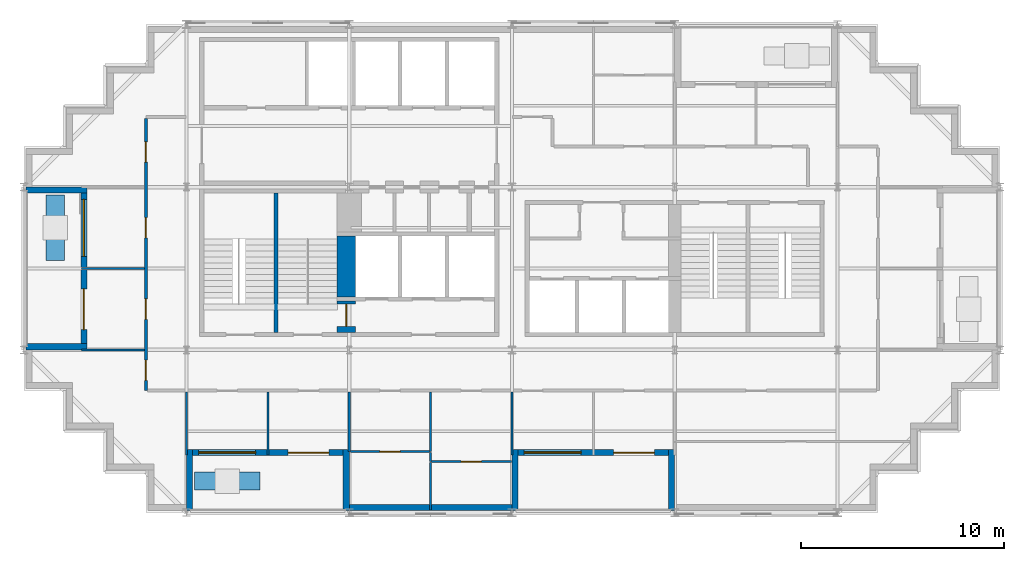
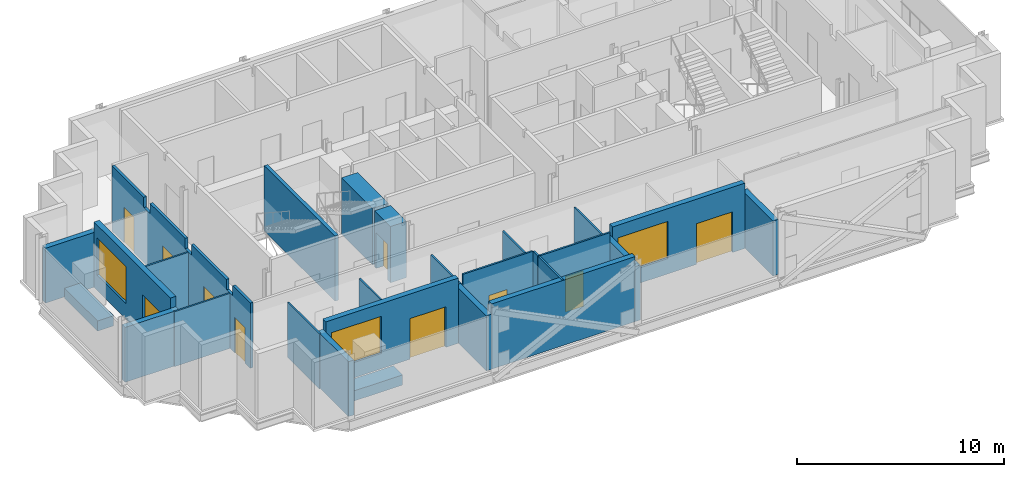
# One storey, part 4 of 10: 27 walls, 10 doors, 3 windows, 13 openings.
"""IFC4 building model written with IfcOpenShell, lengths in metres."""

from ifc_helpers import new_model, si_unit, direction, frame, frame_2d, origin, place, context, subcontext, project, spatial, polyline, rectangle, outline, extrude, material, layer, layer_set, type_object, element, fill, save


model = new_model("IFC4")

# Units and contexts
model_context = context("Model", 3, precision=1e-05, world=origin(), true_north=direction((0.0, 1.0)))
body_context = subcontext(model_context, "Body", "Model", "MODEL_VIEW")
ifc_project = project(units=[si_unit("LENGTHUNIT", "METRE"), si_unit("AREAUNIT", "SQUARE_METRE"), si_unit("VOLUMEUNIT", "CUBIC_METRE"), si_unit("PLANEANGLEUNIT", "RADIAN"), si_unit("MASSUNIT", "GRAM", prefix="KILO")], contexts=[model_context])

# Site, building, storey
site_placement = place(None, origin())
site = spatial("IfcSite", under=ifc_project, at=site_placement, CompositionType="ELEMENT")
building_placement = place(site_placement, origin())
building = spatial("IfcBuilding", under=site, at=building_placement, Name="Immortelle Media Tower", CompositionType="ELEMENT")
storey_placement = place(building_placement, frame((0.0, 0.0, 279.0)))
storey = spatial("IfcBuildingStorey", under=building, at=storey_placement, Name="L61", CompositionType="ELEMENT", Elevation=279.0)

# Wall, openings, doors
ifc_material_1 = material(Name="Fire-rated gypsum board", Category="gypsum")
ifc_layer_1 = layer(ifc_material_1, 0.012451171875)
ifc_material_2 = material(Name="Steel ASTM A653 SS Gr 50 stud frame with mineral wool", Category="steel")
ifc_layer_2 = layer(ifc_material_2, 0.125)
ifc_layer_3 = layer(ifc_material_1, 0.012451171875)
ifc_layer_set_1 = layer_set([ifc_layer_1, ifc_layer_2, ifc_layer_3], Name="Steel ASTM A653 SS Gr 50 stud frame with mineral wool")
wall_type_1 = type_object("IfcWallType", Name="Corridor wall 150", PredefinedType="PARTITIONING", material=ifc_layer_set_1)
wall_1_placement = place(storey_placement, frame((6.0, 6.0, 0.0), z_axis=(0.0, 0.0, 1.0), x_axis=(0.0, 1.0, 0.0)))
wall_1 = element("IfcWall", 1, at=wall_1_placement, inside=storey, type_object=wall_type_1, Name="Partition L61-015", PredefinedType="PARTITIONING", context=body_context, shape_type="SweptSolid", body=[
    extrude(outline(polyline([(0.0, 0.0), (13.375, 0.0), (13.375, 3.85009765625), (10.300048828125, 3.85009765625), (10.298095703125, 3.238037109375), (9.701904296875, 3.238037109375), (9.699951171875, 3.85009765625), (6.300048828125, 3.85009765625), (6.298095703125, 3.238037109375), (5.701904296875, 3.238037109375), (5.699951171875, 3.85009765625), (2.300048828125, 3.85009765625), (2.298095703125, 3.238037109375), (1.701904296875, 3.238037109375), (1.699951171875, 3.85009765625), (0.0, 3.85009765625), (0.0, 0.0)])), frame((0.0, 0.074951171875, 0.0), z_axis=(0.0, -1.0, 0.0), x_axis=(1.0, 0.0, 0.0)), (0.0, 0.0, 1.0), 0.14990234375),
])
opening_1_placement = place(wall_1_placement, frame((0.5, 0.0, 0.0)))
opening_1 = element("IfcOpeningElement", 2, at=opening_1_placement, cuts=wall_1, Name="Opening X4-F011", PredefinedType="OPENING", context=body_context, shape_type="SweptSolid", body=[
    extrude(rectangle(XDim=1.0, YDim=2.10009765625, at=frame_2d((0.5, 1.050048828125))), frame((0.0, 0.0849609375, 0.0), z_axis=(0.0, -1.0, 0.0), x_axis=(1.0, 0.0, 0.0)), (0.0, 0.0, 1.0), 0.169921875),
])
opening_2_placement = place(wall_1_placement, frame((3.5, 0.0, 0.0)))
opening_2 = element("IfcOpeningElement", 3, at=opening_2_placement, cuts=wall_1, Name="Opening X4-F012", PredefinedType="OPENING", context=body_context, shape_type="SweptSolid", body=[
    extrude(rectangle(XDim=1.0, YDim=2.10009765625, at=frame_2d((0.5, 1.050048828125))), frame((0.0, 0.0849609375, 0.0), z_axis=(0.0, -1.0, 0.0), x_axis=(1.0, 0.0, 0.0)), (0.0, 0.0, 1.0), 0.169921875),
])
opening_3_placement = place(wall_1_placement, frame((7.5, 0.0, 0.0)))
opening_3 = element("IfcOpeningElement", 4, at=opening_3_placement, cuts=wall_1, Name="Opening X4-F013", PredefinedType="OPENING", context=body_context, shape_type="SweptSolid", body=[
    extrude(rectangle(XDim=1.0, YDim=2.10009765625, at=frame_2d((0.5, 1.050048828125))), frame((0.0, 0.0849609375, 0.0), z_axis=(0.0, -1.0, 0.0), x_axis=(1.0, 0.0, 0.0)), (0.0, 0.0, 1.0), 0.169921875),
])
opening_4_placement = place(wall_1_placement, frame((11.22509765625, 0.0, 0.0)))
opening_4 = element("IfcOpeningElement", 5, at=opening_4_placement, cuts=wall_1, Name="Opening X4-F016", PredefinedType="OPENING", context=body_context, shape_type="SweptSolid", body=[
    extrude(rectangle(XDim=1.0, YDim=2.10009765625, at=frame_2d((0.5, 1.050048828125))), frame((0.0, 0.0849609375, 0.0), z_axis=(0.0, -1.0, 0.0), x_axis=(1.0, 0.0, 0.0)), (0.0, 0.0, 1.0), 0.169921875),
])
ifc_material_3 = material(Name="Timber veneered door leaf, galvanised steel frame ASTM A653", Category="steel")
door_type_1 = type_object("IfcDoorType", Name="Room door 1000 x 2100", OperationType="NOTDEFINED", PredefinedType="DOOR", material=ifc_material_3)
door_1_placement = place(opening_1_placement, origin())
door_1 = element("IfcDoor", 6, at=door_1_placement, inside=storey, type_object=door_type_1, Name="Door X4-F011", OperationType="SINGLE_SWING_RIGHT", OverallHeight=2.10009765625, OverallWidth=1.0, PredefinedType="DOOR", context=body_context, shape_type="SweptSolid", body=[
    extrude(rectangle(XDim=1.0, YDim=2.10009765625, at=frame_2d((0.5, 1.050048828125))), frame((0.0, 0.02490234375, 0.0), z_axis=(0.0, -1.0, 0.0), x_axis=(1.0, 0.0, 0.0)), (0.0, 0.0, 1.0), 0.050048828125),
])
fill(opening_1, door_1)
door_2_placement = place(opening_2_placement, origin())
door_2 = element("IfcDoor", 7, at=door_2_placement, inside=storey, type_object=door_type_1, Name="Door X4-F012", OperationType="SINGLE_SWING_RIGHT", OverallHeight=2.10009765625, OverallWidth=1.0, PredefinedType="DOOR", context=body_context, shape_type="SweptSolid", body=[
    extrude(rectangle(XDim=1.0, YDim=2.10009765625, at=frame_2d((0.5, 1.050048828125))), frame((0.0, 0.02490234375, 0.0), z_axis=(0.0, -1.0, 0.0), x_axis=(1.0, 0.0, 0.0)), (0.0, 0.0, 1.0), 0.050048828125),
])
fill(opening_2, door_2)
door_3_placement = place(opening_3_placement, origin())
door_3 = element("IfcDoor", 8, at=door_3_placement, inside=storey, type_object=door_type_1, Name="Door X4-F013", OperationType="SINGLE_SWING_RIGHT", OverallHeight=2.10009765625, OverallWidth=1.0, PredefinedType="DOOR", context=body_context, shape_type="SweptSolid", body=[
    extrude(rectangle(XDim=1.0, YDim=2.10009765625, at=frame_2d((0.5, 1.050048828125))), frame((0.0, 0.02490234375, 0.0), z_axis=(0.0, -1.0, 0.0), x_axis=(1.0, 0.0, 0.0)), (0.0, 0.0, 1.0), 0.050048828125),
])
fill(opening_3, door_3)
door_4_placement = place(opening_4_placement, origin())
door_4 = element("IfcDoor", 9, at=door_4_placement, inside=storey, type_object=door_type_1, Name="Door X4-F016", OperationType="SINGLE_SWING_LEFT", OverallHeight=2.10009765625, OverallWidth=1.0, PredefinedType="DOOR", context=body_context, shape_type="SweptSolid", body=[
    extrude(rectangle(XDim=1.0, YDim=2.10009765625, at=frame_2d((0.5, 1.050048828125))), frame((0.0, 0.02490234375, 0.0), z_axis=(0.0, -1.0, 0.0), x_axis=(1.0, 0.0, 0.0)), (0.0, 0.0, 1.0), 0.050048828125),
])
fill(opening_4, door_4)

# Wall, openings, door, window
ifc_material_4 = material(Name="Pale aluminium cladding panel", Category="aluminium")
ifc_layer_4 = layer(ifc_material_4, 0.030029296875)
ifc_layer_5 = layer(ifc_material_2, 0.257568359375)
ifc_material_5 = material(Name="Moisture-resistant gypsum board", Category="gypsum")
ifc_layer_6 = layer(ifc_material_5, 0.012451171875)
ifc_layer_set_2 = layer_set([ifc_layer_4, ifc_layer_5, ifc_layer_6], Name="Steel ASTM A653 SS Gr 50 stud frame with mineral wool")
wall_type_2 = type_object("IfcWallType", Name="Facade wall 300", PredefinedType="SOLIDWALL", material=ifc_layer_set_2)
wall_2_placement = place(storey_placement, frame((8.300048828125, 2.949951171875, 0.0), z_axis=(0.0, 0.0, 1.0), x_axis=(1.0, 0.0, 0.0)))
wall_2 = element("IfcWall", 10, at=wall_2_placement, inside=storey, type_object=wall_type_2, Name="Loggia wall L61 S6", PredefinedType="SOLIDWALL", context=body_context, shape_type="SweptSolid", body=[
    extrude(rectangle(XDim=7.39990234375, YDim=0.300048828125, at=frame_2d((3.699951171875, 0.0))), origin(), (0.0, 0.0, 1.0), 3.85009765625),
])
opening_5_placement = place(wall_2_placement, frame((0.300048828125, 0.0, 0.89990234375)))
opening_5 = element("IfcOpeningElement", 11, at=opening_5_placement, cuts=wall_2, Name="Opening W1", PredefinedType="OPENING", context=body_context, shape_type="SweptSolid", body=[
    extrude(rectangle(XDim=2.800048828125, YDim=2.199951171875, at=frame_2d((1.39990234375, 1.10009765625))), frame((0.0, 0.159912109375, 0.0), z_axis=(0.0, -1.0, 0.0), x_axis=(1.0, 0.0, 0.0)), (0.0, 0.0, 1.0), 0.320068359375),
])
opening_6_placement = place(wall_2_placement, frame((4.699951171875, 0.0, 0.0)))
opening_6 = element("IfcOpeningElement", 12, at=opening_6_placement, cuts=wall_2, Name="Opening X4-E001", PredefinedType="OPENING", context=body_context, shape_type="SweptSolid", body=[
    extrude(rectangle(XDim=2.0, YDim=2.39990234375, at=frame_2d((1.0, 1.199951171875))), frame((0.0, 0.159912109375, 0.0), z_axis=(0.0, -1.0, 0.0), x_axis=(1.0, 0.0, 0.0)), (0.0, 0.0, 1.0), 0.320068359375),
])
ifc_material_6 = material(Name="Aluminium frame, glazed leaves", Category="aluminium")
door_type_2 = type_object("IfcDoorType", Name="Loggia door 2000 x 2400", OperationType="DOUBLE_DOOR_SINGLE_SWING", PredefinedType="DOOR", material=ifc_material_6)
door_5_placement = place(opening_6_placement, origin())
door_5 = element("IfcDoor", 13, at=door_5_placement, inside=storey, type_object=door_type_2, Name="Door X4-E001", OperationType="DOUBLE_DOOR_SINGLE_SWING", OverallHeight=2.39990234375, OverallWidth=2.0, PredefinedType="DOOR", context=body_context, shape_type="SweptSolid", body=[
    extrude(rectangle(XDim=2.0, YDim=2.39990234375, at=frame_2d((1.0, 1.199951171875))), frame((0.0, 0.02490234375, 0.0), z_axis=(0.0, -1.0, 0.0), x_axis=(1.0, 0.0, 0.0)), (0.0, 0.0, 1.0), 0.050048828125),
])
fill(opening_6, door_5)
ifc_material_7 = material(Name="Aluminium frame", Category="aluminium")
window_type = type_object("IfcWindowType", Name="Window 2800 x 2200", PartitioningType="SINGLE_PANEL", PredefinedType="WINDOW", material=ifc_material_7)
window_1_placement = place(opening_5_placement, origin())
window_1 = element("IfcWindow", 14, at=window_1_placement, inside=storey, type_object=window_type, Name="Window L61 L61-R6-B0", OverallHeight=2.199951171875, OverallWidth=2.800048828125, PartitioningType="SINGLE_PANEL", PredefinedType="WINDOW", context=body_context, shape_type="SweptSolid", body=[
    extrude(rectangle(XDim=2.800048828125, YDim=2.199951171875, at=frame_2d((1.39990234375, 1.10009765625))), frame((0.0, 0.030029296875, 0.0), z_axis=(0.0, -1.0, 0.0), x_axis=(1.0, 0.0, 0.0)), (0.0, 0.0, 1.0), 0.06005859375),
])
fill(opening_5, window_1)

# Walls
wall_3_placement = place(storey_placement, frame((8.14990234375, 0.10009765625, 0.0), z_axis=(0.0, 0.0, 1.0), x_axis=(0.0, 1.0, 0.0)))
element("IfcWall", 15, at=wall_3_placement, inside=storey, type_object=wall_type_2, Name="Loggia cheek wall L61 S", PredefinedType="SOLIDWALL", context=body_context, shape_type="SweptSolid", body=[
    extrude(rectangle(XDim=3.0, YDim=0.300048828125, at=frame_2d((1.5, 0.0))), origin(), (0.0, 0.0, 1.0), 3.237060546875),
])
wall_4_placement = place(storey_placement, frame((15.85009765625, 0.10009765625, 0.0), z_axis=(0.0, 0.0, 1.0), x_axis=(0.0, 1.0, 0.0)))
element("IfcWall", 16, at=wall_4_placement, inside=storey, type_object=wall_type_2, Name="Loggia cheek wall L61 S", PredefinedType="SOLIDWALL", context=body_context, shape_type="SweptSolid", body=[
    extrude(rectangle(XDim=3.0, YDim=0.300048828125, at=frame_2d((1.5, 0.0))), origin(), (0.0, 0.0, 1.0), 3.2470703125),
])
wall_5_placement = place(storey_placement, frame((16.0, 0.25, 0.0), z_axis=(0.0, 0.0, 1.0), x_axis=(1.0, 0.0, 0.0)))
element("IfcWall", 17, at=wall_5_placement, inside=storey, type_object=wall_type_2, Name="Facade wall L61 S6", PredefinedType="SOLIDWALL", context=body_context, shape_type="SweptSolid", body=[
    extrude(rectangle(XDim=8.0, YDim=0.300048828125, at=frame_2d((4.0, 0.0))), origin(), (0.0, 0.0, 1.0), 3.85009765625),
])

# Wall, openings, door, window
wall_6_placement = place(storey_placement, frame((24.300048828125, 2.949951171875, 0.0), z_axis=(0.0, 0.0, 1.0), x_axis=(1.0, 0.0, 0.0)))
wall_6 = element("IfcWall", 18, at=wall_6_placement, inside=storey, type_object=wall_type_2, Name="Loggia wall L61 S6", PredefinedType="SOLIDWALL", context=body_context, shape_type="SweptSolid", body=[
    extrude(rectangle(XDim=7.39990234375, YDim=0.300048828125, at=frame_2d((3.699951171875, 0.0))), origin(), (0.0, 0.0, 1.0), 3.85009765625),
])
opening_7_placement = place(wall_6_placement, frame((0.300048828125, 0.0, 0.89990234375)))
opening_7 = element("IfcOpeningElement", 19, at=opening_7_placement, cuts=wall_6, Name="Opening W1", PredefinedType="OPENING", context=body_context, shape_type="SweptSolid", body=[
    extrude(rectangle(XDim=2.800048828125, YDim=2.199951171875, at=frame_2d((1.39990234375, 1.10009765625))), frame((0.0, 0.159912109375, 0.0), z_axis=(0.0, -1.0, 0.0), x_axis=(1.0, 0.0, 0.0)), (0.0, 0.0, 1.0), 0.320068359375),
])
opening_8_placement = place(wall_6_placement, frame((4.699951171875, 0.0, 0.0)))
opening_8 = element("IfcOpeningElement", 20, at=opening_8_placement, cuts=wall_6, Name="Opening X4-E002", PredefinedType="OPENING", context=body_context, shape_type="SweptSolid", body=[
    extrude(rectangle(XDim=2.0, YDim=2.39990234375, at=frame_2d((1.0, 1.199951171875))), frame((0.0, 0.159912109375, 0.0), z_axis=(0.0, -1.0, 0.0), x_axis=(1.0, 0.0, 0.0)), (0.0, 0.0, 1.0), 0.320068359375),
])
door_6_placement = place(opening_8_placement, origin())
door_6 = element("IfcDoor", 21, at=door_6_placement, inside=storey, type_object=door_type_2, Name="Door X4-E002", OperationType="DOUBLE_DOOR_SINGLE_SWING", OverallHeight=2.39990234375, OverallWidth=2.0, PredefinedType="DOOR", context=body_context, shape_type="SweptSolid", body=[
    extrude(rectangle(XDim=2.0, YDim=2.39990234375, at=frame_2d((1.0, 1.199951171875))), frame((0.0, 0.02490234375, 0.0), z_axis=(0.0, -1.0, 0.0), x_axis=(1.0, 0.0, 0.0)), (0.0, 0.0, 1.0), 0.050048828125),
])
fill(opening_8, door_6)
window_2_placement = place(opening_7_placement, origin())
window_2 = element("IfcWindow", 22, at=window_2_placement, inside=storey, type_object=window_type, Name="Window L61 L61-R6-B2", OverallHeight=2.199951171875, OverallWidth=2.800048828125, PartitioningType="SINGLE_PANEL", PredefinedType="WINDOW", context=body_context, shape_type="SweptSolid", body=[
    extrude(rectangle(XDim=2.800048828125, YDim=2.199951171875, at=frame_2d((1.39990234375, 1.10009765625))), frame((0.0, 0.030029296875, 0.0), z_axis=(0.0, -1.0, 0.0), x_axis=(1.0, 0.0, 0.0)), (0.0, 0.0, 1.0), 0.06005859375),
])
fill(opening_7, window_2)

# Walls
for number, where, z_axis, x_axis, name in (
    (23, (24.14990234375, 0.10009765625, 0.0), (0.0, 0.0, 1.0), (0.0, 1.0, 0.0), "Loggia cheek wall L61 S"),
    (24, (31.85009765625, 0.10009765625, 0.0), (0.0, 0.0, 1.0), (0.0, 1.0, 0.0), "Loggia cheek wall L61 S"),
):
    element("IfcWall", number, at=place(storey_placement, frame(where, z_axis=z_axis, x_axis=x_axis)), inside=storey, type_object=wall_type_2, Name=name, PredefinedType="SOLIDWALL", context=body_context, shape_type="SweptSolid", body=[
        extrude(rectangle(XDim=3.0, YDim=0.300048828125, at=frame_2d((1.5, 0.0))), origin(), (0.0, 0.0, 1.0), 3.2470703125),
    ])

# Wall, openings, door, window
wall_7_placement = place(storey_placement, frame((2.949951171875, 15.699951171875, 0.0), z_axis=(0.0, 0.0, 1.0), x_axis=(0.0, -1.0, 0.0)))
wall_7 = element("IfcWall", 25, at=wall_7_placement, inside=storey, type_object=wall_type_2, Name="Loggia wall L61 W27", PredefinedType="SOLIDWALL", context=body_context, shape_type="SweptSolid", body=[
    extrude(rectangle(XDim=7.39990234375, YDim=0.300048828125, at=frame_2d((3.699951171875, 0.0))), origin(), (0.0, 0.0, 1.0), 3.85009765625),
])
opening_9_placement = place(wall_7_placement, frame((0.300048828125, 0.0, 0.89990234375)))
opening_9 = element("IfcOpeningElement", 26, at=opening_9_placement, cuts=wall_7, Name="Opening W1", PredefinedType="OPENING", context=body_context, shape_type="SweptSolid", body=[
    extrude(rectangle(XDim=2.800048828125, YDim=2.199951171875, at=frame_2d((1.39990234375, 1.10009765625))), frame((0.0, 0.159912109375, 0.0), z_axis=(0.0, -1.0, 0.0), x_axis=(1.0, 0.0, 0.0)), (0.0, 0.0, 1.0), 0.320068359375),
])
opening_10_placement = place(wall_7_placement, frame((4.699951171875, 0.0, 0.0)))
opening_10 = element("IfcOpeningElement", 27, at=opening_10_placement, cuts=wall_7, Name="Opening X4-E006", PredefinedType="OPENING", context=body_context, shape_type="SweptSolid", body=[
    extrude(rectangle(XDim=2.0, YDim=2.39990234375, at=frame_2d((1.0, 1.199951171875))), frame((0.0, 0.159912109375, 0.0), z_axis=(0.0, -1.0, 0.0), x_axis=(1.0, 0.0, 0.0)), (0.0, 0.0, 1.0), 0.320068359375),
])
door_7_placement = place(opening_10_placement, origin())
door_7 = element("IfcDoor", 28, at=door_7_placement, inside=storey, type_object=door_type_2, Name="Door X4-E006", OperationType="DOUBLE_DOOR_SINGLE_SWING", OverallHeight=2.39990234375, OverallWidth=2.0, PredefinedType="DOOR", context=body_context, shape_type="SweptSolid", body=[
    extrude(rectangle(XDim=2.0, YDim=2.39990234375, at=frame_2d((1.0, 1.199951171875))), frame((0.0, 0.02490234375, 0.0), z_axis=(0.0, -1.0, 0.0), x_axis=(1.0, 0.0, 0.0)), (0.0, 0.0, 1.0), 0.050048828125),
])
fill(opening_10, door_7)
window_3_placement = place(opening_9_placement, origin())
window_3 = element("IfcWindow", 29, at=window_3_placement, inside=storey, type_object=window_type, Name="Window L61 L61-R27-B0", OverallHeight=2.199951171875, OverallWidth=2.800048828125, PartitioningType="SINGLE_PANEL", PredefinedType="WINDOW", context=body_context, shape_type="SweptSolid", body=[
    extrude(rectangle(XDim=2.800048828125, YDim=2.199951171875, at=frame_2d((1.39990234375, 1.10009765625))), frame((0.0, 0.030029296875, 0.0), z_axis=(0.0, -1.0, 0.0), x_axis=(1.0, 0.0, 0.0)), (0.0, 0.0, 1.0), 0.06005859375),
])
fill(opening_9, window_3)

# Walls
for number, where, z_axis, x_axis, name in (
    (30, (0.10009765625, 15.85009765625, 0.0), (0.0, 0.0, 1.0), (1.0, 0.0, 0.0), "Loggia cheek wall L61 W"),
    (31, (0.10009765625, 8.14990234375, 0.0), (0.0, 0.0, 1.0), (1.0, 0.0, 0.0), "Loggia cheek wall L61 W"),
):
    element("IfcWall", number, at=place(storey_placement, frame(where, z_axis=z_axis, x_axis=x_axis)), inside=storey, type_object=wall_type_2, Name=name, PredefinedType="SOLIDWALL", context=body_context, shape_type="SweptSolid", body=[
        extrude(rectangle(XDim=3.0, YDim=0.300048828125, at=frame_2d((1.5, 0.0))), origin(), (0.0, 0.0, 1.0), 3.237060546875),
    ])
ifc_material_8 = material(Name="Gypsum board", Category="gypsum")
ifc_layer_7 = layer(ifc_material_8, 0.012451171875)
ifc_layer_8 = layer(ifc_material_2, 0.074951171875)
ifc_layer_9 = layer(ifc_material_8, 0.012451171875)
ifc_layer_set_3 = layer_set([ifc_layer_7, ifc_layer_8, ifc_layer_9], Name="Steel ASTM A653 SS Gr 50 stud frame with mineral wool")
wall_type_3 = type_object("IfcWallType", Name="Partition 100", PredefinedType="PARTITIONING", material=ifc_layer_set_3)
wall_8_placement = place(storey_placement, frame((20.0, 0.1298828125, 0.0), z_axis=(0.0, 0.0, 1.0), x_axis=(0.0, 1.0, 0.0)))
element("IfcWall", 32, at=wall_8_placement, inside=storey, type_object=wall_type_3, Name="Partition L61-001", PredefinedType="PARTITIONING", context=body_context, shape_type="SweptSolid", body=[
    extrude(rectangle(XDim=2.320068359375, YDim=0.10009765625, at=frame_2d((1.16015625, 0.0))), origin(), (0.0, 0.0, 1.0), 3.85009765625),
])

# Wall, opening, door
wall_9_placement = place(storey_placement, frame((20.050048828125, 2.5, 0.0), z_axis=(0.0, 0.0, 1.0), x_axis=(1.0, 0.0, 0.0)))
wall_9 = element("IfcWall", 33, at=wall_9_placement, inside=storey, type_object=wall_type_3, Name="Partition L61-002", PredefinedType="PARTITIONING", context=body_context, shape_type="SweptSolid", body=[
    extrude(rectangle(XDim=3.919921875, YDim=0.10009765625, at=frame_2d((1.9599609375, 0.0))), origin(), (0.0, 0.0, 1.0), 3.85009765625),
])
opening_11_placement = place(wall_9_placement, frame((1.449951171875, 0.0, 0.0)))
opening_11 = element("IfcOpeningElement", 34, at=opening_11_placement, cuts=wall_9, Name="Opening X4-F004", PredefinedType="OPENING", context=body_context, shape_type="SweptSolid", body=[
    extrude(rectangle(XDim=1.0, YDim=2.10009765625, at=frame_2d((0.5, 1.050048828125))), frame((0.0, 0.06005859375, 0.0), z_axis=(0.0, -1.0, 0.0), x_axis=(1.0, 0.0, 0.0)), (0.0, 0.0, 1.0), 0.1201171875),
])
door_8_placement = place(opening_11_placement, origin())
door_8 = element("IfcDoor", 35, at=door_8_placement, inside=storey, type_object=door_type_1, Name="Door X4-F004", OperationType="SINGLE_SWING_LEFT", OverallHeight=2.10009765625, OverallWidth=1.0, PredefinedType="DOOR", context=body_context, shape_type="SweptSolid", body=[
    extrude(rectangle(XDim=1.0, YDim=2.10009765625, at=frame_2d((0.5, 1.050048828125))), frame((0.0, 0.02490234375, 0.0), z_axis=(0.0, -1.0, 0.0), x_axis=(1.0, 0.0, 0.0)), (0.0, 0.0, 1.0), 0.050048828125),
])
fill(opening_11, door_8)

# Walls
wall_10_placement = place(storey_placement, frame((20.0, 2.5, 0.0), z_axis=(0.0, 0.0, 1.0), x_axis=(0.0, 1.0, 0.0)))
element("IfcWall", 36, at=wall_10_placement, inside=storey, type_object=wall_type_3, Name="Partition L61-003", PredefinedType="PARTITIONING", context=body_context, shape_type="SweptSolid", body=[
    extrude(rectangle(XDim=0.449951171875, YDim=0.10009765625, at=frame_2d((0.22509765625, 0.0))), origin(), (0.0, 0.0, 1.0), 3.85009765625),
])
for number, where, z_axis, x_axis, name in (
    (37, (8.0, 2.830078125, 0.0), (0.0, 0.0, 1.0), (0.0, 1.0, 0.0), "Partition L61-004"),
    (38, (12.0, 2.830078125, 0.0), (0.0, 0.0, 1.0), (0.0, 1.0, 0.0), "Partition L61-005"),
    (39, (24.0, 2.830078125, 0.0), (0.0, 0.0, 1.0), (0.0, 1.0, 0.0), "Partition L61-006"),
):
    element("IfcWall", number, at=place(storey_placement, frame(where, z_axis=z_axis, x_axis=x_axis)), inside=storey, type_object=wall_type_3, Name=name, PredefinedType="PARTITIONING", context=body_context, shape_type="SweptSolid", body=[
        extrude(rectangle(XDim=3.094970703125, YDim=0.10009765625, at=frame_2d((1.54736328125, 0.0))), origin(), (0.0, 0.0, 1.0), 3.238037109375),
    ])

# Wall, opening, door
wall_11_placement = place(storey_placement, frame((16.050048828125, 3.0, 0.0), z_axis=(0.0, 0.0, 1.0), x_axis=(1.0, 0.0, 0.0)))
wall_11 = element("IfcWall", 40, at=wall_11_placement, inside=storey, type_object=wall_type_3, Name="Partition L61-009", PredefinedType="PARTITIONING", context=body_context, shape_type="SweptSolid", body=[
    extrude(rectangle(XDim=3.89990234375, YDim=0.10009765625, at=frame_2d((1.949951171875, 0.0))), origin(), (0.0, 0.0, 1.0), 3.85009765625),
])
opening_12_placement = place(wall_11_placement, frame((1.449951171875, 0.0, 0.0)))
opening_12 = element("IfcOpeningElement", 41, at=opening_12_placement, cuts=wall_11, Name="Opening X4-F002", PredefinedType="OPENING", context=body_context, shape_type="SweptSolid", body=[
    extrude(rectangle(XDim=1.0, YDim=2.10009765625, at=frame_2d((0.5, 1.050048828125))), frame((0.0, 0.06005859375, 0.0), z_axis=(0.0, -1.0, 0.0), x_axis=(1.0, 0.0, 0.0)), (0.0, 0.0, 1.0), 0.1201171875),
])
door_9_placement = place(opening_12_placement, origin())
door_9 = element("IfcDoor", 42, at=door_9_placement, inside=storey, type_object=door_type_1, Name="Door X4-F002", OperationType="SINGLE_SWING_LEFT", OverallHeight=2.10009765625, OverallWidth=1.0, PredefinedType="DOOR", context=body_context, shape_type="SweptSolid", body=[
    extrude(rectangle(XDim=1.0, YDim=2.10009765625, at=frame_2d((0.5, 1.050048828125))), frame((0.0, 0.02490234375, 0.0), z_axis=(0.0, -1.0, 0.0), x_axis=(1.0, 0.0, 0.0)), (0.0, 0.0, 1.0), 0.050048828125),
])
fill(opening_12, door_9)

# Walls
for number, where, z_axis, x_axis, name in (
    (43, (16.0, 3.0, 0.0), (0.0, 0.0, 1.0), (0.0, 1.0, 0.0), "Partition L61-010"),
    (44, (20.0, 3.0, 0.0), (0.0, 0.0, 1.0), (0.0, 1.0, 0.0), "Partition L61-011"),
):
    element("IfcWall", number, at=place(storey_placement, frame(where, z_axis=z_axis, x_axis=x_axis)), inside=storey, type_object=wall_type_3, Name=name, PredefinedType="PARTITIONING", context=body_context, shape_type="SweptSolid", body=[
        extrude(rectangle(XDim=2.925048828125, YDim=0.10009765625, at=frame_2d((1.46240234375, 0.0))), origin(), (0.0, 0.0, 1.0), 3.238037109375),
    ])
for number, where, z_axis, x_axis, name in (
    (45, (2.830078125, 8.0, 0.0), (0.0, 0.0, 1.0), (1.0, 0.0, 0.0), "Partition L61-017"),
    (46, (2.830078125, 12.0, 0.0), (0.0, 0.0, 1.0), (1.0, 0.0, 0.0), "Partition L61-019"),
):
    element("IfcWall", number, at=place(storey_placement, frame(where, z_axis=z_axis, x_axis=x_axis)), inside=storey, type_object=wall_type_3, Name=name, PredefinedType="PARTITIONING", context=body_context, shape_type="SweptSolid", body=[
        extrude(rectangle(XDim=3.094970703125, YDim=0.10009765625, at=frame_2d((1.54736328125, 0.0))), origin(), (0.0, 0.0, 1.0), 3.238037109375),
    ])
ifc_layer_10 = layer(ifc_material_4, 0.0029296875)
ifc_material_9 = material(Name="Steel ASTM A572 Gr 50 planter shell", Category="steel")
ifc_layer_11 = layer(ifc_material_9, 0.011962890625)
ifc_material_10 = material(Name="Planting substrate", Category="soil")
ifc_layer_12 = layer(ifc_material_10, 0.873046875)
ifc_layer_13 = layer(ifc_material_9, 0.011962890625)
ifc_layer_set_4 = layer_set([ifc_layer_10, ifc_layer_11, ifc_layer_12, ifc_layer_13], Name="Steel ASTM A572 Gr 50 planter shell")
wall_type_4 = type_object("IfcWallType", Name="Planter wall 900", PredefinedType="SOLIDWALL", material=ifc_layer_set_4)
for number, where, z_axis, x_axis, name in (
    (47, (8.39990234375, 1.550048828125, 0.0), (0.0, 0.0, 1.0), (1.0, 0.0, 0.0), "Planter L61 S0"),
    (48, (1.550048828125, 15.60009765625, 0.0), (0.0, 0.0, 1.0), (0.0, -1.0, 0.0), "Planter L61 W0"),
):
    element("IfcWall", number, at=place(storey_placement, frame(where, z_axis=z_axis, x_axis=x_axis)), inside=storey, type_object=wall_type_4, Name=name, PredefinedType="SOLIDWALL", context=body_context, shape_type="SweptSolid", body=[
        extrude(rectangle(XDim=3.2001953125, YDim=0.89990234375, at=frame_2d((1.60009765625, 0.0))), origin(), (0.0, 0.0, 1.0), 0.60009765625),
    ])
ifc_material_11 = material(Name="Concrete C60", Category="concrete")
ifc_layer_14 = layer(ifc_material_11, 0.199951171875)
ifc_layer_set_5 = layer_set([ifc_layer_14], Name="Concrete C60")
wall_type_5 = type_object("IfcWallType", Name="Stair shaft wall 200", PredefinedType="PARTITIONING", material=ifc_layer_set_5)
wall_12_placement = place(storey_placement, frame((12.39990234375, 8.85009765625, 0.0), z_axis=(0.0, 0.0, 1.0), x_axis=(0.0, 1.0, 0.0)))
element("IfcWall", 49, at=wall_12_placement, inside=storey, type_object=wall_type_5, Name="Stair shaft wall SW", PredefinedType="PARTITIONING", context=body_context, shape_type="SweptSolid", body=[
    extrude(rectangle(XDim=6.849853515625, YDim=0.199951171875, at=frame_2d((3.4248046875, 0.0))), origin(), (0.0, 0.0, 1.0), 3.85009765625),
])

# Wall, opening, door
ifc_layer_15 = layer(ifc_material_11, 0.89990234375)
ifc_layer_set_6 = layer_set([ifc_layer_15], Name="Concrete C60")
wall_type_6 = type_object("IfcWallType", Name="Stair shaft wall 900", PredefinedType="PARTITIONING", material=ifc_layer_set_6)
wall_13_placement = place(storey_placement, frame((15.85009765625, 8.85009765625, 0.0), z_axis=(0.0, 0.0, 1.0), x_axis=(0.0, 1.0, 0.0)))
wall_13 = element("IfcWall", 50, at=wall_13_placement, inside=storey, type_object=wall_type_6, Name="Stair shaft wall SW", PredefinedType="PARTITIONING", context=body_context, shape_type="SweptSolid", body=[
    extrude(rectangle(XDim=1.5498046875, YDim=0.89990234375, at=frame_2d((0.77490234375, 0.0))), origin(), (0.0, 0.0, 1.0), 3.318115234375),
])
opening_13_placement = place(wall_13_placement, frame((0.300048828125, 0.0, 0.0)))
opening_13 = element("IfcOpeningElement", 51, at=opening_13_placement, cuts=wall_13, Name="Opening X4-K006", PredefinedType="OPENING", context=body_context, shape_type="SweptSolid", body=[
    extrude(rectangle(XDim=1.10009765625, YDim=2.10009765625, at=frame_2d((0.550048828125, 1.050048828125))), frame((0.0, 0.4599609375, 0.0), z_axis=(0.0, -1.0, 0.0), x_axis=(1.0, 0.0, 0.0)), (0.0, 0.0, 1.0), 0.919921875),
])
ifc_material_12 = material(Name="Galvanised steel door leaf and frame ASTM A653", Category="steel")
door_type_3 = type_object("IfcDoorType", Name="Stair lobby door 1100 x 2100", OperationType="NOTDEFINED", PredefinedType="NOTDEFINED", material=ifc_material_12)
door_10_placement = place(opening_13_placement, origin())
door_10 = element("IfcDoor", 52, at=door_10_placement, inside=storey, type_object=door_type_3, Name="Stair lobby X4-K006", OperationType="SINGLE_SWING_LEFT", OverallHeight=2.10009765625, OverallWidth=1.10009765625, PredefinedType="NOTDEFINED", context=body_context, shape_type="SweptSolid", body=[
    extrude(rectangle(XDim=1.10009765625, YDim=2.10009765625, at=frame_2d((0.550048828125, 1.050048828125))), frame((0.0, 0.02490234375, 0.0), z_axis=(0.0, -1.0, 0.0), x_axis=(1.0, 0.0, 0.0)), (0.0, 0.0, 1.0), 0.050048828125),
])
fill(opening_13, door_10)

# Wall
wall_14_placement = place(storey_placement, frame((15.85009765625, 10.60009765625, 0.0), z_axis=(0.0, 0.0, 1.0), x_axis=(0.0, 1.0, 0.0)))
element("IfcWall", 53, at=wall_14_placement, inside=storey, type_object=wall_type_6, Name="Stair shaft wall SW", PredefinedType="PARTITIONING", context=body_context, shape_type="SweptSolid", body=[
    extrude(rectangle(XDim=3.0, YDim=0.89990234375, at=frame_2d((1.5, 0.0))), origin(), (0.0, 0.0, 1.0), 3.318115234375),
])

save(model, "model.ifc")
